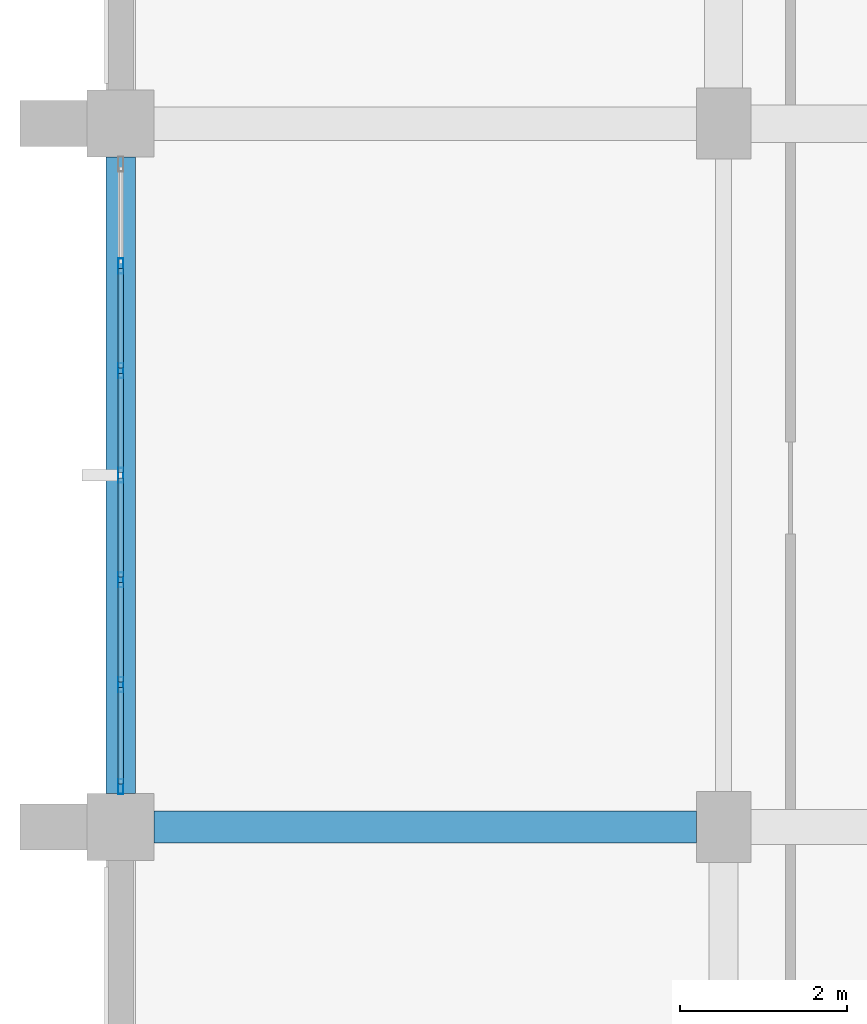
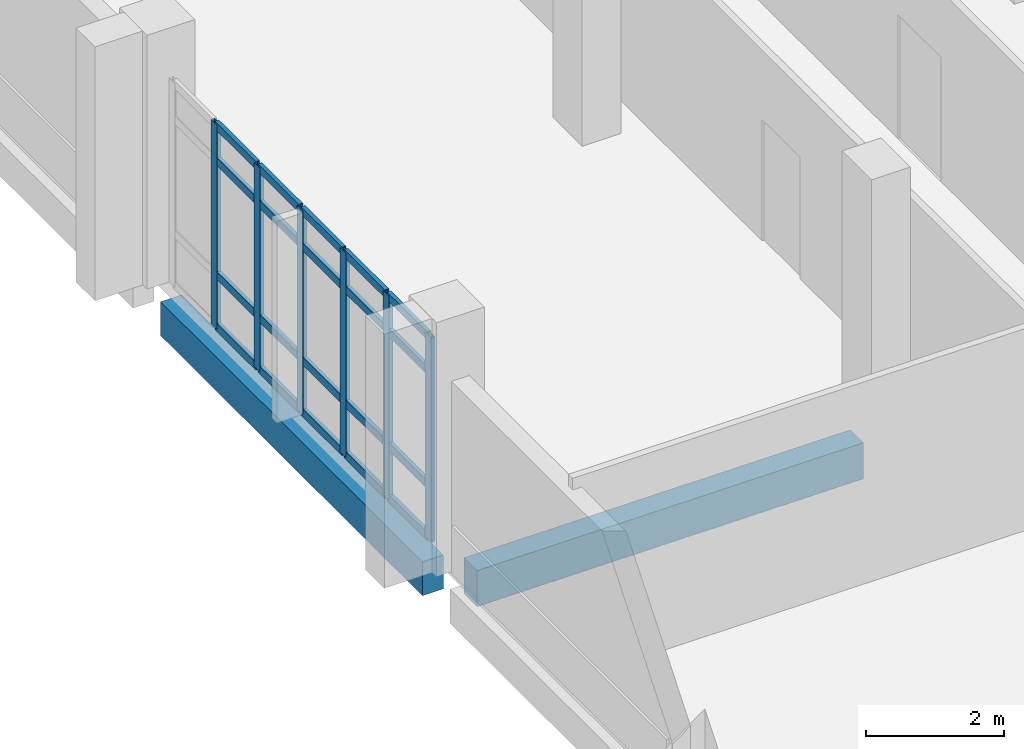
# One storey, part 50 of 134: 26 members, 2 beams, 1 element without a shape of its own.
"""IFC4 building model written with IfcOpenShell, lengths in metres."""

from ifc_helpers import new_model, si_unit, direction, frame, origin, origin_2d, place, context, subcontext, project, spatial, rectangle, hollow_rectangle, extrude, material, material_profile, profile_set, type_object, element, aggregate, save


model = new_model("IFC4")

# Units and contexts
model_context = context("Model", 3, precision=1e-05, world=origin(), true_north=direction((0.0, 1.0)))
body_context = subcontext(model_context, "Body", "Model", "MODEL_VIEW")
ifc_project = project(units=[si_unit("LENGTHUNIT", "METRE"), si_unit("AREAUNIT", "SQUARE_METRE"), si_unit("VOLUMEUNIT", "CUBIC_METRE"), si_unit("PLANEANGLEUNIT", "RADIAN"), si_unit("MASSUNIT", "GRAM", prefix="KILO")], contexts=[model_context])

# Site, building, storey
site_placement = place(None, origin())
site = spatial("IfcSite", under=ifc_project, at=site_placement, CompositionType="ELEMENT")
building_placement = place(site_placement, origin())
building = spatial("IfcBuilding", under=site, at=building_placement, Name="Kalluvel Institute of Natural Sciences", CompositionType="ELEMENT")
storey_placement = place(building_placement, frame((0.0, 0.0, 5.39990234375)))
storey = spatial("IfcBuildingStorey", under=building, at=storey_placement, Name="L01", CompositionType="ELEMENT", Elevation=5.39990234375)

# Beam
ifc_material_1 = material(Name="Concrete M40", Category="concrete")
ifc_material_profile_1 = material_profile(ifc_material_1, rectangle(XDim=0.3798828125, YDim=0.639892578125, at=origin_2d()), Name="RCB 380x640")
ifc_profile_set_1 = profile_set([ifc_material_profile_1], Name="Concrete M40")
beam_type_1 = type_object("IfcBeamType", Name="BM-RC380x640", PredefinedType="BEAM", material=ifc_profile_set_1)
beam_1_placement = place(storey_placement, frame((14.39990234375, 86.0, -0.619873046875), z_axis=(1.0, 0.0, 0.0), x_axis=(0.0, 1.0, 0.0)))
element("IfcBeam", 1, at=beam_1_placement, inside=storey, type_object=beam_type_1, Name="L01 girder GIR-L01-EW-X140-Y860", PredefinedType="BEAM", context=body_context, shape_type="SweptSolid", body=[
    extrude(rectangle(XDim=0.3798828125, YDim=0.639892578125, at=origin_2d()), origin(), (0.0, 0.0, 1.0), 6.47509765625),
])

# Curtain wall, members
ifc_material_2 = material(Name="Aluminium AW-6063 T6", Category="aluminium")
curtain_wall_type = type_object("IfcCurtainWallType", Name="CW-DRY-45", PredefinedType="USERDEFINED", material=ifc_material_2)
curtain_wall_placement = place(storey_placement, origin())
curtain_wall = element("IfcCurtainWall", 2, at=curtain_wall_placement, inside=storey, type_object=curtain_wall_type, Name="L01 Gothic lancet curtain wall CWA-L01-X140-Y864", ObjectType="UNITISED LANCET FACADE", PredefinedType="USERDEFINED")
ifc_material_profile_2 = material_profile(ifc_material_2, hollow_rectangle(XDim=0.06494140625, YDim=0.179931640625, WallThickness=0.00439453125, at=origin_2d()), Name="CWM 65x180")
ifc_profile_set_2 = profile_set([ifc_material_profile_2], Name="Aluminium AW-6063 T6")
member_type_1 = type_object("IfcMemberType", Name="CWM-65x180", PredefinedType="MULLION", material=ifc_profile_set_2)
member_1_placement = place(storey_placement, frame((14.0, 86.482421875, 0.0), z_axis=(0.0, 0.0, 1.0), x_axis=(-1.0, 0.0, 0.0)))
member_1 = element("IfcMember", 3, at=member_1_placement, type_object=member_type_1, Name="CW-03 mullion 1", PredefinedType="MULLION", context=body_context, shape_type="SweptSolid", body=[
    extrude(hollow_rectangle(XDim=0.06494140625, YDim=0.179931640625, WallThickness=0.00439453125, at=origin_2d()), origin(), (0.0, 0.0, 1.0), 3.6201171875),
])
member_2_placement = place(storey_placement, frame((14.0, 87.699951171875, 0.0), z_axis=(0.0, 0.0, 1.0), x_axis=(-1.0, 0.0, 0.0)))
member_2 = element("IfcMember", 4, at=member_2_placement, type_object=member_type_1, Name="CW-03 mullion 2", PredefinedType="MULLION", context=body_context, shape_type="SweptSolid", body=[
    extrude(hollow_rectangle(XDim=0.06494140625, YDim=0.179931640625, WallThickness=0.00439453125, at=origin_2d()), origin(), (0.0, 0.0, 1.0), 3.6201171875),
])
member_3_placement = place(storey_placement, frame((14.0, 88.949951171875, 0.0), z_axis=(0.0, 0.0, 1.0), x_axis=(-1.0, 0.0, 0.0)))
member_3 = element("IfcMember", 5, at=member_3_placement, type_object=member_type_1, Name="CW-03 mullion 3", PredefinedType="MULLION", context=body_context, shape_type="SweptSolid", body=[
    extrude(hollow_rectangle(XDim=0.06494140625, YDim=0.179931640625, WallThickness=0.00439453125, at=origin_2d()), origin(), (0.0, 0.0, 1.0), 3.6201171875),
])
member_4_placement = place(storey_placement, frame((14.0, 90.199951171875, 0.0), z_axis=(0.0, 0.0, 1.0), x_axis=(-1.0, 0.0, 0.0)))
member_4 = element("IfcMember", 6, at=member_4_placement, type_object=member_type_1, Name="CW-03 mullion 4", PredefinedType="MULLION", context=body_context, shape_type="SweptSolid", body=[
    extrude(hollow_rectangle(XDim=0.06494140625, YDim=0.179931640625, WallThickness=0.00439453125, at=origin_2d()), origin(), (0.0, 0.0, 1.0), 3.6201171875),
])
member_5_placement = place(storey_placement, frame((14.0, 91.449951171875, 0.0), z_axis=(0.0, 0.0, 1.0), x_axis=(-1.0, 0.0, 0.0)))
member_5 = element("IfcMember", 7, at=member_5_placement, type_object=member_type_1, Name="CW-03 mullion 5", PredefinedType="MULLION", context=body_context, shape_type="SweptSolid", body=[
    extrude(hollow_rectangle(XDim=0.06494140625, YDim=0.179931640625, WallThickness=0.00439453125, at=origin_2d()), origin(), (0.0, 0.0, 1.0), 3.6201171875),
])
member_6_placement = place(storey_placement, frame((14.0, 92.699951171875, 0.0), z_axis=(0.0, 0.0, 1.0), x_axis=(-1.0, 0.0, 0.0)))
member_6 = element("IfcMember", 8, at=member_6_placement, type_object=member_type_1, Name="CW-03 mullion 6", PredefinedType="MULLION", context=body_context, shape_type="SweptSolid", body=[
    extrude(hollow_rectangle(XDim=0.06494140625, YDim=0.179931640625, WallThickness=0.00439453125, at=origin_2d()), origin(), (0.0, 0.0, 1.0), 3.6201171875),
])
ifc_material_profile_3 = material_profile(ifc_material_2, hollow_rectangle(XDim=0.06494140625, YDim=0.139892578125, WallThickness=0.00439453125, at=origin_2d()), Name="CWT 65x140")
ifc_profile_set_3 = profile_set([ifc_material_profile_3], Name="Aluminium AW-6063 T6")
member_type_2 = type_object("IfcMemberType", Name="CWT-65x140", PredefinedType="USERDEFINED", material=ifc_profile_set_3)
member_7_placement = place(storey_placement, frame((14.0, 86.514892578125, 0.03271484375), z_axis=(0.0, 1.0, 0.0), x_axis=(-1.0, 0.0, 0.0)))
member_7 = element("IfcMember", 9, at=member_7_placement, type_object=member_type_2, Name="CW-03 transom 1.1", ObjectType="TRANSOM", PredefinedType="USERDEFINED", context=body_context, shape_type="SweptSolid", body=[
    extrude(hollow_rectangle(XDim=0.06494140625, YDim=0.139892578125, WallThickness=0.00439453125, at=origin_2d()), origin(), (0.0, 0.0, 1.0), 1.152587890625),
])
member_8_placement = place(storey_placement, frame((14.0, 86.514892578125, 0.9501953125), z_axis=(0.0, 1.0, 0.0), x_axis=(-1.0, 0.0, 0.0)))
member_8 = element("IfcMember", 10, at=member_8_placement, type_object=member_type_2, Name="CW-03 transom 1.2", ObjectType="TRANSOM", PredefinedType="USERDEFINED", context=body_context, shape_type="SweptSolid", body=[
    extrude(hollow_rectangle(XDim=0.06494140625, YDim=0.139892578125, WallThickness=0.00439453125, at=origin_2d()), origin(), (0.0, 0.0, 1.0), 1.152587890625),
])
member_9_placement = place(storey_placement, frame((14.0, 86.514892578125, 2.97021484375), z_axis=(0.0, 1.0, 0.0), x_axis=(-1.0, 0.0, 0.0)))
member_9 = element("IfcMember", 11, at=member_9_placement, type_object=member_type_2, Name="CW-03 transom 1.3", ObjectType="TRANSOM", PredefinedType="USERDEFINED", context=body_context, shape_type="SweptSolid", body=[
    extrude(hollow_rectangle(XDim=0.06494140625, YDim=0.139892578125, WallThickness=0.00439453125, at=origin_2d()), origin(), (0.0, 0.0, 1.0), 1.152587890625),
])
member_10_placement = place(storey_placement, frame((14.0, 86.514892578125, 3.587646484375), z_axis=(0.0, 1.0, 0.0), x_axis=(-1.0, 0.0, 0.0)))
member_10 = element("IfcMember", 12, at=member_10_placement, type_object=member_type_2, Name="CW-03 transom 1.4", ObjectType="TRANSOM", PredefinedType="USERDEFINED", context=body_context, shape_type="SweptSolid", body=[
    extrude(hollow_rectangle(XDim=0.06494140625, YDim=0.139892578125, WallThickness=0.00439453125, at=origin_2d()), origin(), (0.0, 0.0, 1.0), 1.152587890625),
])
member_11_placement = place(storey_placement, frame((14.0, 87.732421875, 0.03271484375), z_axis=(0.0, 1.0, 0.0), x_axis=(-1.0, 0.0, 0.0)))
member_11 = element("IfcMember", 13, at=member_11_placement, type_object=member_type_2, Name="CW-03 transom 2.1", ObjectType="TRANSOM", PredefinedType="USERDEFINED", context=body_context, shape_type="SweptSolid", body=[
    extrude(hollow_rectangle(XDim=0.06494140625, YDim=0.139892578125, WallThickness=0.00439453125, at=origin_2d()), origin(), (0.0, 0.0, 1.0), 1.18505859375),
])
member_12_placement = place(storey_placement, frame((14.0, 87.732421875, 0.9501953125), z_axis=(0.0, 1.0, 0.0), x_axis=(-1.0, 0.0, 0.0)))
member_12 = element("IfcMember", 14, at=member_12_placement, type_object=member_type_2, Name="CW-03 transom 2.2", ObjectType="TRANSOM", PredefinedType="USERDEFINED", context=body_context, shape_type="SweptSolid", body=[
    extrude(hollow_rectangle(XDim=0.06494140625, YDim=0.139892578125, WallThickness=0.00439453125, at=origin_2d()), origin(), (0.0, 0.0, 1.0), 1.18505859375),
])
member_13_placement = place(storey_placement, frame((14.0, 87.732421875, 2.97021484375), z_axis=(0.0, 1.0, 0.0), x_axis=(-1.0, 0.0, 0.0)))
member_13 = element("IfcMember", 15, at=member_13_placement, type_object=member_type_2, Name="CW-03 transom 2.3", ObjectType="TRANSOM", PredefinedType="USERDEFINED", context=body_context, shape_type="SweptSolid", body=[
    extrude(hollow_rectangle(XDim=0.06494140625, YDim=0.139892578125, WallThickness=0.00439453125, at=origin_2d()), origin(), (0.0, 0.0, 1.0), 1.18505859375),
])
member_14_placement = place(storey_placement, frame((14.0, 87.732421875, 3.587646484375), z_axis=(0.0, 1.0, 0.0), x_axis=(-1.0, 0.0, 0.0)))
member_14 = element("IfcMember", 16, at=member_14_placement, type_object=member_type_2, Name="CW-03 transom 2.4", ObjectType="TRANSOM", PredefinedType="USERDEFINED", context=body_context, shape_type="SweptSolid", body=[
    extrude(hollow_rectangle(XDim=0.06494140625, YDim=0.139892578125, WallThickness=0.00439453125, at=origin_2d()), origin(), (0.0, 0.0, 1.0), 1.18505859375),
])
member_15_placement = place(storey_placement, frame((14.0, 88.982421875, 0.03271484375), z_axis=(0.0, 1.0, 0.0), x_axis=(-1.0, 0.0, 0.0)))
member_15 = element("IfcMember", 17, at=member_15_placement, type_object=member_type_2, Name="CW-03 transom 3.1", ObjectType="TRANSOM", PredefinedType="USERDEFINED", context=body_context, shape_type="SweptSolid", body=[
    extrude(hollow_rectangle(XDim=0.06494140625, YDim=0.139892578125, WallThickness=0.00439453125, at=origin_2d()), origin(), (0.0, 0.0, 1.0), 1.18505859375),
])
member_16_placement = place(storey_placement, frame((14.0, 88.982421875, 0.9501953125), z_axis=(0.0, 1.0, 0.0), x_axis=(-1.0, 0.0, 0.0)))
member_16 = element("IfcMember", 18, at=member_16_placement, type_object=member_type_2, Name="CW-03 transom 3.2", ObjectType="TRANSOM", PredefinedType="USERDEFINED", context=body_context, shape_type="SweptSolid", body=[
    extrude(hollow_rectangle(XDim=0.06494140625, YDim=0.139892578125, WallThickness=0.00439453125, at=origin_2d()), origin(), (0.0, 0.0, 1.0), 1.18505859375),
])
member_17_placement = place(storey_placement, frame((14.0, 88.982421875, 2.97021484375), z_axis=(0.0, 1.0, 0.0), x_axis=(-1.0, 0.0, 0.0)))
member_17 = element("IfcMember", 19, at=member_17_placement, type_object=member_type_2, Name="CW-03 transom 3.3", ObjectType="TRANSOM", PredefinedType="USERDEFINED", context=body_context, shape_type="SweptSolid", body=[
    extrude(hollow_rectangle(XDim=0.06494140625, YDim=0.139892578125, WallThickness=0.00439453125, at=origin_2d()), origin(), (0.0, 0.0, 1.0), 1.18505859375),
])
member_18_placement = place(storey_placement, frame((14.0, 88.982421875, 3.587646484375), z_axis=(0.0, 1.0, 0.0), x_axis=(-1.0, 0.0, 0.0)))
member_18 = element("IfcMember", 20, at=member_18_placement, type_object=member_type_2, Name="CW-03 transom 3.4", ObjectType="TRANSOM", PredefinedType="USERDEFINED", context=body_context, shape_type="SweptSolid", body=[
    extrude(hollow_rectangle(XDim=0.06494140625, YDim=0.139892578125, WallThickness=0.00439453125, at=origin_2d()), origin(), (0.0, 0.0, 1.0), 1.18505859375),
])
member_19_placement = place(storey_placement, frame((14.0, 90.232421875, 0.03271484375), z_axis=(0.0, 1.0, 0.0), x_axis=(-1.0, 0.0, 0.0)))
member_19 = element("IfcMember", 21, at=member_19_placement, type_object=member_type_2, Name="CW-03 transom 4.1", ObjectType="TRANSOM", PredefinedType="USERDEFINED", context=body_context, shape_type="SweptSolid", body=[
    extrude(hollow_rectangle(XDim=0.06494140625, YDim=0.139892578125, WallThickness=0.00439453125, at=origin_2d()), origin(), (0.0, 0.0, 1.0), 1.18505859375),
])
member_20_placement = place(storey_placement, frame((14.0, 90.232421875, 0.9501953125), z_axis=(0.0, 1.0, 0.0), x_axis=(-1.0, 0.0, 0.0)))
member_20 = element("IfcMember", 22, at=member_20_placement, type_object=member_type_2, Name="CW-03 transom 4.2", ObjectType="TRANSOM", PredefinedType="USERDEFINED", context=body_context, shape_type="SweptSolid", body=[
    extrude(hollow_rectangle(XDim=0.06494140625, YDim=0.139892578125, WallThickness=0.00439453125, at=origin_2d()), origin(), (0.0, 0.0, 1.0), 1.18505859375),
])
member_21_placement = place(storey_placement, frame((14.0, 90.232421875, 2.97021484375), z_axis=(0.0, 1.0, 0.0), x_axis=(-1.0, 0.0, 0.0)))
member_21 = element("IfcMember", 23, at=member_21_placement, type_object=member_type_2, Name="CW-03 transom 4.3", ObjectType="TRANSOM", PredefinedType="USERDEFINED", context=body_context, shape_type="SweptSolid", body=[
    extrude(hollow_rectangle(XDim=0.06494140625, YDim=0.139892578125, WallThickness=0.00439453125, at=origin_2d()), origin(), (0.0, 0.0, 1.0), 1.18505859375),
])
member_22_placement = place(storey_placement, frame((14.0, 90.232421875, 3.587646484375), z_axis=(0.0, 1.0, 0.0), x_axis=(-1.0, 0.0, 0.0)))
member_22 = element("IfcMember", 24, at=member_22_placement, type_object=member_type_2, Name="CW-03 transom 4.4", ObjectType="TRANSOM", PredefinedType="USERDEFINED", context=body_context, shape_type="SweptSolid", body=[
    extrude(hollow_rectangle(XDim=0.06494140625, YDim=0.139892578125, WallThickness=0.00439453125, at=origin_2d()), origin(), (0.0, 0.0, 1.0), 1.18505859375),
])
member_23_placement = place(storey_placement, frame((14.0, 91.482421875, 0.03271484375), z_axis=(0.0, 1.0, 0.0), x_axis=(-1.0, 0.0, 0.0)))
member_23 = element("IfcMember", 25, at=member_23_placement, type_object=member_type_2, Name="CW-03 transom 5.1", ObjectType="TRANSOM", PredefinedType="USERDEFINED", context=body_context, shape_type="SweptSolid", body=[
    extrude(hollow_rectangle(XDim=0.06494140625, YDim=0.139892578125, WallThickness=0.00439453125, at=origin_2d()), origin(), (0.0, 0.0, 1.0), 1.18505859375),
])
member_24_placement = place(storey_placement, frame((14.0, 91.482421875, 0.9501953125), z_axis=(0.0, 1.0, 0.0), x_axis=(-1.0, 0.0, 0.0)))
member_24 = element("IfcMember", 26, at=member_24_placement, type_object=member_type_2, Name="CW-03 transom 5.2", ObjectType="TRANSOM", PredefinedType="USERDEFINED", context=body_context, shape_type="SweptSolid", body=[
    extrude(hollow_rectangle(XDim=0.06494140625, YDim=0.139892578125, WallThickness=0.00439453125, at=origin_2d()), origin(), (0.0, 0.0, 1.0), 1.18505859375),
])
member_25_placement = place(storey_placement, frame((14.0, 91.482421875, 2.97021484375), z_axis=(0.0, 1.0, 0.0), x_axis=(-1.0, 0.0, 0.0)))
member_25 = element("IfcMember", 27, at=member_25_placement, type_object=member_type_2, Name="CW-03 transom 5.3", ObjectType="TRANSOM", PredefinedType="USERDEFINED", context=body_context, shape_type="SweptSolid", body=[
    extrude(hollow_rectangle(XDim=0.06494140625, YDim=0.139892578125, WallThickness=0.00439453125, at=origin_2d()), origin(), (0.0, 0.0, 1.0), 1.18505859375),
])
member_26_placement = place(storey_placement, frame((14.0, 91.482421875, 3.587646484375), z_axis=(0.0, 1.0, 0.0), x_axis=(-1.0, 0.0, 0.0)))
member_26 = element("IfcMember", 28, at=member_26_placement, type_object=member_type_2, Name="CW-03 transom 5.4", ObjectType="TRANSOM", PredefinedType="USERDEFINED", context=body_context, shape_type="SweptSolid", body=[
    extrude(hollow_rectangle(XDim=0.06494140625, YDim=0.139892578125, WallThickness=0.00439453125, at=origin_2d()), origin(), (0.0, 0.0, 1.0), 1.18505859375),
])
aggregate(curtain_wall, [member_1, member_2, member_3, member_4, member_5, member_6, member_7, member_8, member_9, member_10, member_11, member_12, member_13, member_14, member_15, member_16, member_17, member_18, member_19, member_20, member_21, member_22, member_23, member_24, member_25, member_26])

# Beam
ifc_material_profile_4 = material_profile(ifc_material_1, rectangle(XDim=0.35009765625, YDim=0.60009765625, at=origin_2d()), Name="RCB 350x600")
ifc_profile_set_4 = profile_set([ifc_material_profile_4], Name="Concrete M40")
beam_type_2 = type_object("IfcBeamType", Name="SP-RC350x600", PredefinedType="SPANDREL", material=ifc_profile_set_4)
beam_2_placement = place(storey_placement, frame((14.0, 86.39990234375, -0.599853515625), z_axis=(0.0, 1.0, 0.0), x_axis=(-1.0, 0.0, 0.0)))
element("IfcBeam", 29, at=beam_2_placement, inside=storey, type_object=beam_type_2, Name="L01 girder GIR-L01-NS-X140-Y860", PredefinedType="SPANDREL", context=body_context, shape_type="SweptSolid", body=[
    extrude(rectangle(XDim=0.35009765625, YDim=0.60009765625, at=origin_2d()), origin(), (0.0, 0.0, 1.0), 7.60009765625),
])

save(model, "model.ifc")
